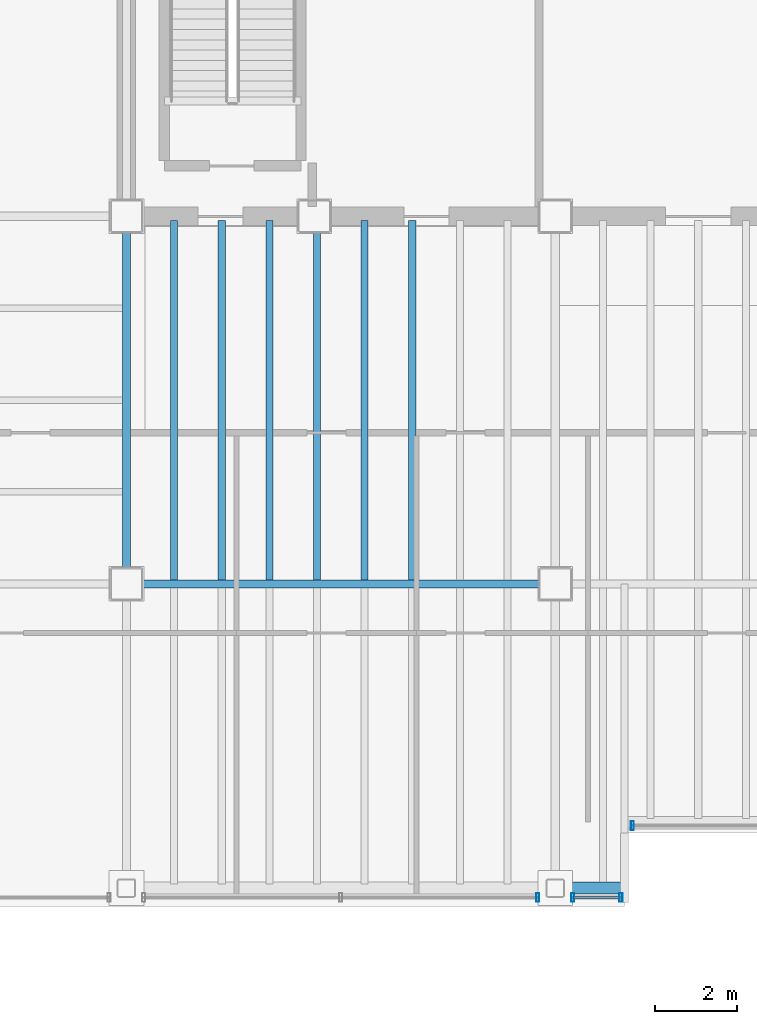
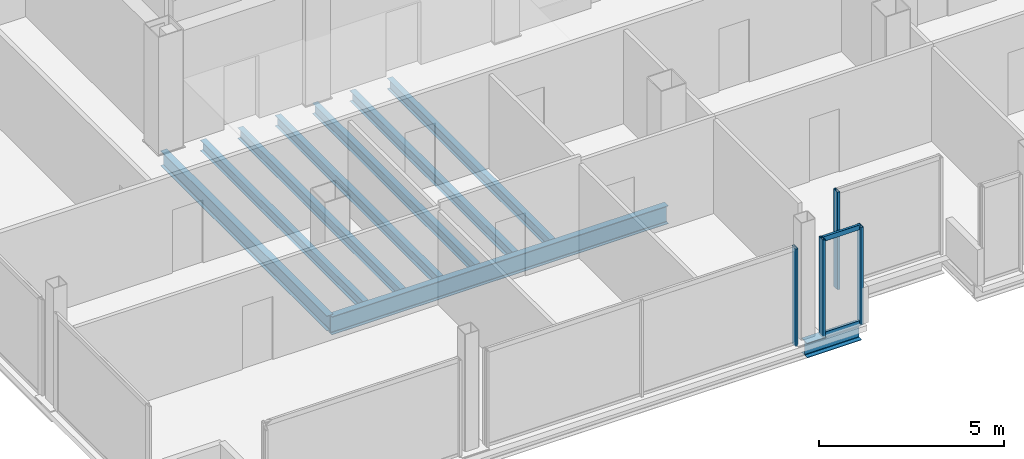
# One storey, part 5 of 17: 9 beams, 6 members, 3 elements without a shape of their own.
"""IFC4 building model written with IfcOpenShell, lengths in metres."""

from ifc_helpers import new_model, si_unit, direction, frame, origin, origin_2d, place, context, subcontext, project, spatial, hollow_rectangle, i_section, extrude, material, material_profile, profile_set, type_object, element, aggregate, save


model = new_model("IFC4")

# Units and contexts
model_context = context("Model", 3, precision=1e-05, world=origin(), true_north=direction((0.0, 1.0)))
body_context = subcontext(model_context, "Body", "Model", "MODEL_VIEW")
ifc_project = project(units=[si_unit("LENGTHUNIT", "METRE"), si_unit("AREAUNIT", "SQUARE_METRE"), si_unit("VOLUMEUNIT", "CUBIC_METRE"), si_unit("PLANEANGLEUNIT", "RADIAN"), si_unit("MASSUNIT", "GRAM", prefix="KILO")], contexts=[model_context])

# Site, building, storey
site_placement = place(None, origin())
site = spatial("IfcSite", under=ifc_project, at=site_placement, CompositionType="ELEMENT")
building_placement = place(site_placement, origin())
building = spatial("IfcBuilding", under=site, at=building_placement, Name="Noeulbin Bourse Tower", CompositionType="ELEMENT")
storey_placement = place(building_placement, frame((0.0, 0.0, 242.300048828125)))
storey = spatial("IfcBuildingStorey", under=building, at=storey_placement, Name="L60", CompositionType="ELEMENT", Elevation=242.300048828125)

# Beams
ifc_material_1 = material(Name="Steel S355", Category="steel")
ifc_material_profile_1 = material_profile(ifc_material_1, i_section(OverallWidth=0.199951171875, OverallDepth=0.5, WebThickness=0.010009765625, FlangeThickness=0.01611328125, FilletRadius=0.02001953125, at=origin_2d()), Name="H-500x200x10x16", Category="LoadBearing")
ifc_profile_set_1 = profile_set([ifc_material_profile_1], Name="Steel S355")
beam_type_1 = type_object("IfcBeamType", Name="BM-GRD-500", PredefinedType="USERDEFINED", material=ifc_profile_set_1)
beam_1_placement = place(storey_placement, frame((13.5, 20.0, -0.429931640625), z_axis=(0.0, 1.0, 0.0), x_axis=(-1.0, 0.0, 0.0)))
element("IfcBeam", 1, at=beam_1_placement, inside=storey, type_object=beam_type_1, Name="Tower Primary Girder NS L60-1.2", ObjectType="GIRDER", PredefinedType="USERDEFINED", context=body_context, shape_type="SweptSolid", body=[
    extrude(i_section(OverallWidth=0.199951171875, OverallDepth=0.5, WebThickness=0.010009765625, FlangeThickness=0.01611328125, FilletRadius=0.02001953125, at=origin_2d()), origin(), (0.0, 0.0, 1.0), 9.0),
])
ifc_material_profile_2 = material_profile(ifc_material_1, i_section(OverallWidth=0.199951171875, OverallDepth=0.60009765625, WebThickness=0.010986328125, FlangeThickness=0.01708984375, FilletRadius=0.02197265625, at=origin_2d()), Name="H-600x200x11x17", Category="LoadBearing")
ifc_profile_set_2 = profile_set([ifc_material_profile_2], Name="Steel S355")
beam_type_2 = type_object("IfcBeamType", Name="BM-GRD-600", PredefinedType="USERDEFINED", material=ifc_profile_set_2)
beam_2_placement = place(storey_placement, frame((13.5, 20.0, -0.47998046875), z_axis=(1.0, 0.0, 0.0), x_axis=(0.0, 1.0, 0.0)))
element("IfcBeam", 2, at=beam_2_placement, inside=storey, type_object=beam_type_2, Name="Tower Primary Girder EW L60-1.2", ObjectType="GIRDER", PredefinedType="USERDEFINED", context=body_context, shape_type="SweptSolid", body=[
    extrude(i_section(OverallWidth=0.199951171875, OverallDepth=0.60009765625, WebThickness=0.010986328125, FlangeThickness=0.01708984375, FilletRadius=0.02197265625, at=origin_2d()), origin(), (0.0, 0.0, 1.0), 10.5),
])
ifc_material_profile_3 = material_profile(ifc_material_1, i_section(OverallWidth=0.175048828125, OverallDepth=0.35009765625, WebThickness=0.007080078125, FlangeThickness=0.010986328125, FilletRadius=0.013916015625, at=origin_2d()), Name="H-350x175x7x11", Category="LoadBearing")
ifc_profile_set_3 = profile_set([ifc_material_profile_3], Name="Steel S355")
beam_type_3 = type_object("IfcBeamType", Name="BM-JST-350", PredefinedType="JOIST", material=ifc_profile_set_3)
for number, where, z_axis, x_axis, name in (
    (3, (14.666748046875, 20.10009765625, -0.35498046875), (0.0, 1.0, 0.0), (-1.0, 0.0, 0.0), "Tower Composite Joist L60-02"),
    (4, (15.833251953125, 20.10009765625, -0.35498046875), (0.0, 1.0, 0.0), (-1.0, 0.0, 0.0), "Tower Composite Joist L60-04"),
    (5, (17.0, 20.10009765625, -0.35498046875), (0.0, 1.0, 0.0), (-1.0, 0.0, 0.0), "Tower Composite Joist L60-06"),
    (6, (18.166748046875, 20.10009765625, -0.35498046875), (0.0, 1.0, 0.0), (-1.0, 0.0, 0.0), "Tower Composite Joist L60-08"),
    (7, (19.333251953125, 20.10009765625, -0.35498046875), (0.0, 1.0, 0.0), (-1.0, 0.0, 0.0), "Tower Composite Joist L60-10"),
    (8, (20.5, 20.10009765625, -0.35498046875), (0.0, 1.0, 0.0), (-1.0, 0.0, 0.0), "Tower Composite Joist L60-12"),
):
    element("IfcBeam", number, at=place(storey_placement, frame(where, z_axis=z_axis, x_axis=x_axis)), inside=storey, type_object=beam_type_3, Name=name, PredefinedType="JOIST", context=body_context, shape_type="SweptSolid", body=[
        extrude(i_section(OverallWidth=0.175048828125, OverallDepth=0.35009765625, WebThickness=0.007080078125, FlangeThickness=0.010986328125, FilletRadius=0.013916015625, at=origin_2d()), origin(), (0.0, 0.0, 1.0), 8.7998046875),
    ])
ifc_material_profile_4 = material_profile(ifc_material_1, i_section(OverallWidth=0.300048828125, OverallDepth=0.488037109375, WebThickness=0.010986328125, FlangeThickness=0.01806640625, FilletRadius=0.02197265625, at=origin_2d()), Name="H-488x300x11x18", Category="LoadBearing")
ifc_profile_set_4 = profile_set([ifc_material_profile_4], Name="Steel S355")
beam_type_4 = type_object("IfcBeamType", Name="BM-SPN-488", PredefinedType="SPANDREL", material=ifc_profile_set_4)
beam_3_placement = place(storey_placement, frame((24.0, 12.550048828125, -0.424072265625), z_axis=(1.0, 0.0, 0.0), x_axis=(0.0, 1.0, 0.0)))
element("IfcBeam", 9, at=beam_3_placement, inside=storey, type_object=beam_type_4, Name="South Spandrel L60-2A", PredefinedType="SPANDREL", context=body_context, shape_type="SweptSolid", body=[
    extrude(i_section(OverallWidth=0.300048828125, OverallDepth=0.488037109375, WebThickness=0.010986328125, FlangeThickness=0.01806640625, FilletRadius=0.02197265625, at=origin_2d()), origin(), (0.0, 0.0, 1.0), 1.699951171875),
])

# Curtain wall, member
ifc_material_2 = material(Name="High-Selectivity Low-Iron Glazing", Category="glass")
curtain_wall_type = type_object("IfcCurtainWallType", Name="CW-SYS-4", PredefinedType="NOTDEFINED", material=ifc_material_2)
curtain_wall_1_placement = place(storey_placement, origin())
curtain_wall_1 = element("IfcCurtainWall", 10, at=curtain_wall_1_placement, inside=storey, type_object=curtain_wall_type, Name="Unitised Curtain Wall CW-L60-SREC", PredefinedType="NOTDEFINED")
ifc_material_3 = material(Name="Anodised Aluminium 6063-T6", Category="aluminium")
ifc_material_profile_5 = material_profile(ifc_material_3, hollow_rectangle(XDim=0.074951171875, YDim=0.219970703125, WallThickness=0.0048828125, InnerFilletRadius=0.00244140625, OuterFilletRadius=0.0048828125, at=origin_2d()), Name="ALU-MULL-75x220x5", Category="LoadBearing")
ifc_profile_set_5 = profile_set([ifc_material_profile_5], Name="Anodised Aluminium 6063-T6")
member_type_1 = type_object("IfcMemberType", Name="CW-SYS-4-MUL", PredefinedType="MULLION", material=ifc_profile_set_5)
member_1_placement = place(storey_placement, frame((25.889892578125, 14.080078125, -0.02001953125), z_axis=(0.0, 0.0, 1.0), x_axis=(1.0, 0.0, 0.0)))
member_1 = element("IfcMember", 11, at=member_1_placement, type_object=member_type_1, Name="Curtain Wall Mullion CW-L60-SREC-M00", PredefinedType="MULLION", context=body_context, shape_type="SweptSolid", body=[
    extrude(hollow_rectangle(XDim=0.074951171875, YDim=0.219970703125, WallThickness=0.0048828125, InnerFilletRadius=0.00244140625, OuterFilletRadius=0.0048828125, at=origin_2d()), origin(), (0.0, 0.0, 1.0), 3.219970703125),
])
aggregate(curtain_wall_1, [member_1])

curtain_wall_2_placement = place(storey_placement, origin())
curtain_wall_2 = element("IfcCurtainWall", 12, at=curtain_wall_2_placement, inside=storey, type_object=curtain_wall_type, Name="Unitised Curtain Wall CW-L60-S1-S2", PredefinedType="NOTDEFINED")
member_2_placement = place(storey_placement, frame((23.574951171875, 12.320068359375, -0.02001953125), z_axis=(0.0, 0.0, 1.0), x_axis=(1.0, 0.0, 0.0)))
member_2 = element("IfcMember", 13, at=member_2_placement, type_object=member_type_1, Name="Curtain Wall Mullion CW-L60-S1-S2-M02", PredefinedType="MULLION", context=body_context, shape_type="SweptSolid", body=[
    extrude(hollow_rectangle(XDim=0.074951171875, YDim=0.219970703125, WallThickness=0.0048828125, InnerFilletRadius=0.00244140625, OuterFilletRadius=0.0048828125, at=origin_2d()), origin(), (0.0, 0.0, 1.0), 3.219970703125),
])
aggregate(curtain_wall_2, [member_2])

# Curtain wall, members
curtain_wall_3_placement = place(storey_placement, origin())
curtain_wall_3 = element("IfcCurtainWall", 14, at=curtain_wall_3_placement, inside=storey, type_object=curtain_wall_type, Name="Unitised Curtain Wall CW-L60-S1-S3", PredefinedType="NOTDEFINED")
member_3_placement = place(storey_placement, frame((24.425048828125, 12.320068359375, -0.02001953125), z_axis=(0.0, 0.0, 1.0), x_axis=(1.0, 0.0, 0.0)))
member_3 = element("IfcMember", 15, at=member_3_placement, type_object=member_type_1, Name="Curtain Wall Mullion CW-L60-S1-S3-M00", PredefinedType="MULLION", context=body_context, shape_type="SweptSolid", body=[
    extrude(hollow_rectangle(XDim=0.074951171875, YDim=0.219970703125, WallThickness=0.0048828125, InnerFilletRadius=0.00244140625, OuterFilletRadius=0.0048828125, at=origin_2d()), origin(), (0.0, 0.0, 1.0), 3.219970703125),
])
member_4_placement = place(storey_placement, frame((25.610107421875, 12.320068359375, -0.02001953125), z_axis=(0.0, 0.0, 1.0), x_axis=(1.0, 0.0, 0.0)))
member_4 = element("IfcMember", 16, at=member_4_placement, type_object=member_type_1, Name="Curtain Wall Mullion CW-L60-S1-S3-M01", PredefinedType="MULLION", context=body_context, shape_type="SweptSolid", body=[
    extrude(hollow_rectangle(XDim=0.074951171875, YDim=0.219970703125, WallThickness=0.0048828125, InnerFilletRadius=0.00244140625, OuterFilletRadius=0.0048828125, at=origin_2d()), origin(), (0.0, 0.0, 1.0), 3.219970703125),
])
ifc_material_profile_6 = material_profile(ifc_material_3, hollow_rectangle(XDim=0.074951171875, YDim=0.159912109375, WallThickness=0.0048828125, InnerFilletRadius=0.00244140625, OuterFilletRadius=0.0048828125, at=origin_2d()), Name="ALU-TRAN-75x160x5", Category="LoadBearing")
ifc_profile_set_6 = profile_set([ifc_material_profile_6], Name="Anodised Aluminium 6063-T6")
member_type_2 = type_object("IfcMemberType", Name="CW-SYS-4-TRN", PredefinedType="USERDEFINED", material=ifc_profile_set_6)
member_5_placement = place(storey_placement, frame((24.43505859375, 12.320068359375, 0.010009765625), z_axis=(1.0, 0.0, 0.0), x_axis=(0.0, 1.0, 0.0)))
member_5 = element("IfcMember", 17, at=member_5_placement, type_object=member_type_2, Name="Curtain Wall Transom CW-L60-S1-S3-T00", ObjectType="TRANSOM", PredefinedType="USERDEFINED", context=body_context, shape_type="SweptSolid", body=[
    extrude(hollow_rectangle(XDim=0.074951171875, YDim=0.159912109375, WallThickness=0.0048828125, InnerFilletRadius=0.00244140625, OuterFilletRadius=0.0048828125, at=origin_2d()), origin(), (0.0, 0.0, 1.0), 1.1650390625),
])
member_6_placement = place(storey_placement, frame((24.43505859375, 12.320068359375, 3.169921875), z_axis=(1.0, 0.0, 0.0), x_axis=(0.0, 1.0, 0.0)))
member_6 = element("IfcMember", 18, at=member_6_placement, type_object=member_type_2, Name="Curtain Wall Transom CW-L60-S1-S3-T01", ObjectType="TRANSOM", PredefinedType="USERDEFINED", context=body_context, shape_type="SweptSolid", body=[
    extrude(hollow_rectangle(XDim=0.074951171875, YDim=0.159912109375, WallThickness=0.0048828125, InnerFilletRadius=0.00244140625, OuterFilletRadius=0.0048828125, at=origin_2d()), origin(), (0.0, 0.0, 1.0), 1.1650390625),
])
aggregate(curtain_wall_3, [member_3, member_4, member_5, member_6])

save(model, "model.ifc")
